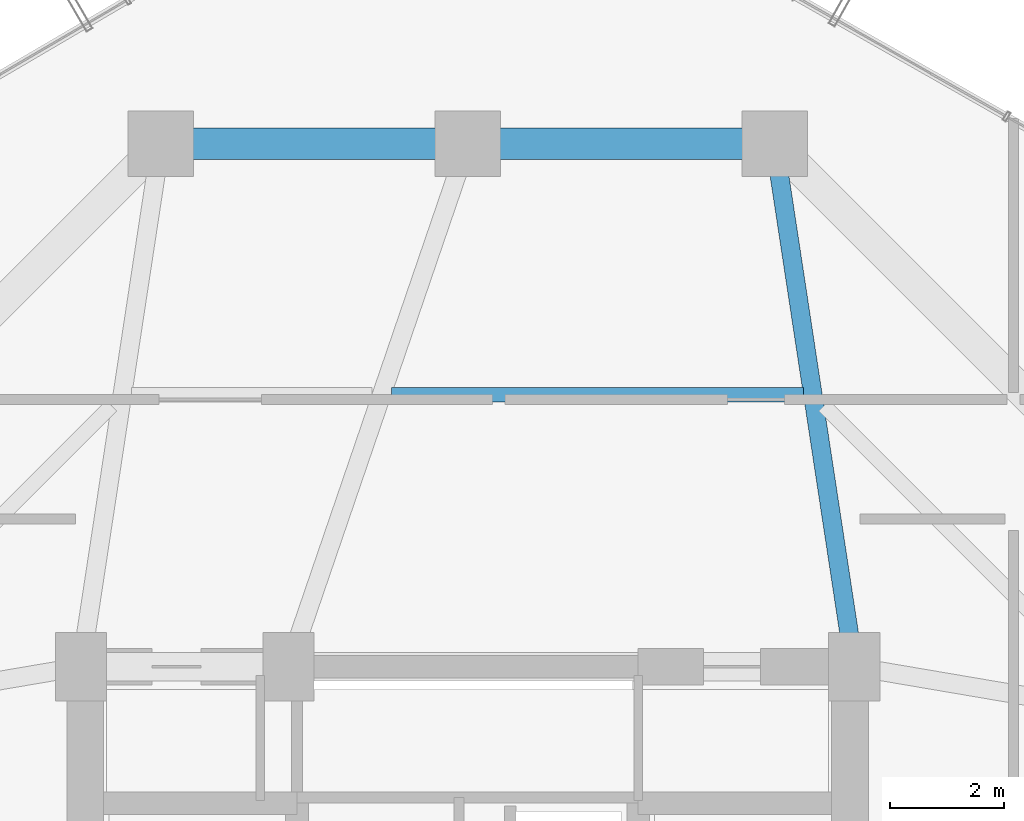
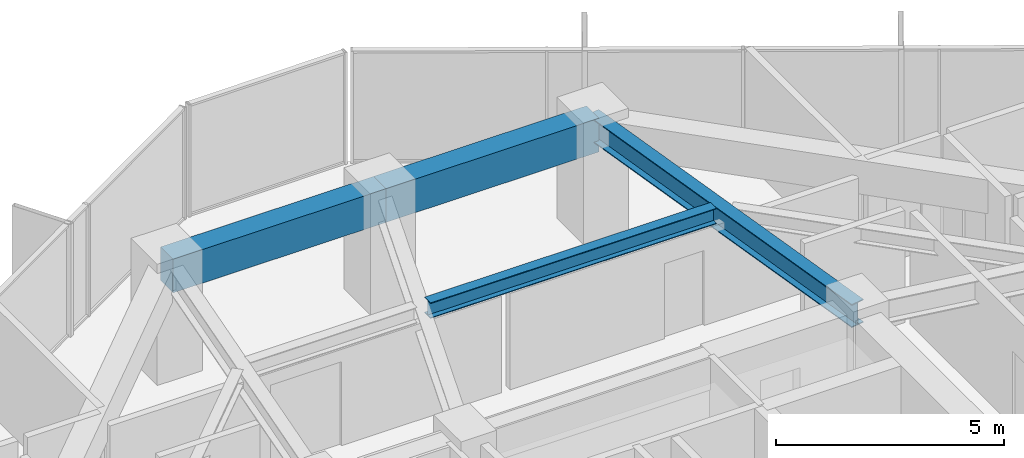
# One storey, part 20 of 30: 4 beams.
"""IFC4 building model written with IfcOpenShell, lengths in metres."""

from ifc_helpers import new_model, si_unit, direction, frame, origin, origin_2d, place, context, subcontext, project, spatial, rectangle, i_section, extrude, material, material_profile, profile_set, type_object, element, save


model = new_model("IFC4")

# Units and contexts
model_context = context("Model", 3, precision=1e-05, world=origin(), true_north=direction((0.0, 1.0)))
body_context = subcontext(model_context, "Body", "Model", "MODEL_VIEW")
ifc_project = project(units=[si_unit("LENGTHUNIT", "METRE"), si_unit("AREAUNIT", "SQUARE_METRE"), si_unit("VOLUMEUNIT", "CUBIC_METRE"), si_unit("PLANEANGLEUNIT", "RADIAN"), si_unit("MASSUNIT", "GRAM", prefix="KILO")], contexts=[model_context])

# Site, building, storey
site_placement = place(None, origin())
site = spatial("IfcSite", under=ifc_project, at=site_placement, CompositionType="ELEMENT")
building_placement = place(site_placement, origin())
building = spatial("IfcBuilding", under=site, at=building_placement, Name="Veraguas Prism Commons", CompositionType="ELEMENT")
storey_placement = place(building_placement, frame((0.0, 0.0, 129.5)))
storey = spatial("IfcBuildingStorey", under=building, at=storey_placement, Name="L36", CompositionType="ELEMENT", Elevation=129.5)

# Beams
ifc_material_1 = material(Name="Steel ASTM A992 Grade 50", Category="steel")
ifc_material_profile_1 = material_profile(ifc_material_1, i_section(OverallWidth=0.260986328125, OverallDepth=0.419921875, WebThickness=0.01171875, FlangeThickness=0.019287109375, at=origin_2d()), Name="W410X114")
ifc_profile_set_1 = profile_set([ifc_material_profile_1], Name="Steel ASTM A992 Grade 50")
beam_type_1 = type_object("IfcBeamType", Name="Lower Floor Joist W410x114", PredefinedType="JOIST", material=ifc_profile_set_1)
beam_1_placement = place(storey_placement, frame((29.908203125, 35.783935546875, 2.7900390625), z_axis=(-1.0, 0.0, 0.0), x_axis=(0.0, -1.0, 0.0)))
element("IfcBeam", 1, at=beam_1_placement, inside=storey, type_object=beam_type_1, Name="Composite Floor Joist L36-JS04", PredefinedType="JOIST", context=body_context, shape_type="SweptSolid", body=[
    extrude(i_section(OverallWidth=0.260986328125, OverallDepth=0.419921875, WebThickness=0.01171875, FlangeThickness=0.019287109375, at=origin_2d()), origin(), (0.0, 0.0, 1.0), 7.2490234375),
])
ifc_material_2 = material(Name="Concrete C50/60", Category="concrete")
ifc_material_profile_2 = material_profile(ifc_material_2, rectangle(XDim=0.550048828125, YDim=0.89990234375, at=origin_2d()), Name="RC550X900")
ifc_profile_set_2 = profile_set([ifc_material_profile_2], Name="Concrete C50/60")
beam_type_2 = type_object("IfcBeamType", Name="Perimeter Spandrel Lower RC 550x900", PredefinedType="SPANDREL", material=ifc_profile_set_2)
for number, where, z_axis, x_axis, name in (
    (2, (29.39990234375, 40.199951171875, 2.550048828125), (-1.0, 0.0, 0.0), (0.0, -1.0, 0.0), "Perimeter Spandrel Beam L36-SP04"),
    (3, (24.0, 40.199951171875, 2.550048828125), (-1.0, 0.0, 0.0), (0.0, -1.0, 0.0), "Perimeter Spandrel Beam L36-SP05"),
):
    element("IfcBeam", number, at=place(storey_placement, frame(where, z_axis=z_axis, x_axis=x_axis)), inside=storey, type_object=beam_type_2, Name=name, PredefinedType="SPANDREL", context=body_context, shape_type="SweptSolid", body=[
        extrude(rectangle(XDim=0.550048828125, YDim=0.89990234375, at=origin_2d()), origin(), (0.0, 0.0, 1.0), 5.39990234375),
    ])
ifc_material_profile_3 = material_profile(ifc_material_1, i_section(OverallWidth=0.327880859375, OverallDepth=0.6220703125, WebThickness=0.015380859375, FlangeThickness=0.0244140625, at=origin_2d()), Name="W610X195")
ifc_profile_set_3 = profile_set([ifc_material_profile_3], Name="Steel ASTM A992 Grade 50")
beam_type_3 = type_object("IfcBeamType", Name="Zone 2 Radial Girder W610x195", PredefinedType="BEAM", material=ifc_profile_set_3)
beam_2_placement = place(storey_placement, frame((29.39990234375, 40.199951171875, 2.68896484375), z_axis=(0.150458162136, -0.98861637729, 0.0), x_axis=(0.98861637729, 0.150458162136, 0.0)))
element("IfcBeam", 4, at=beam_2_placement, inside=storey, type_object=beam_type_3, Name="Radial Floor Girder L36-RD04", PredefinedType="BEAM", context=body_context, shape_type="SweptSolid", body=[
    extrude(i_section(OverallWidth=0.327880859375, OverallDepth=0.6220703125, WebThickness=0.015380859375, FlangeThickness=0.0244140625, at=origin_2d()), origin(), (0.0, 0.0, 1.0), 9.305908203125),
])

save(model, "model.ifc")
